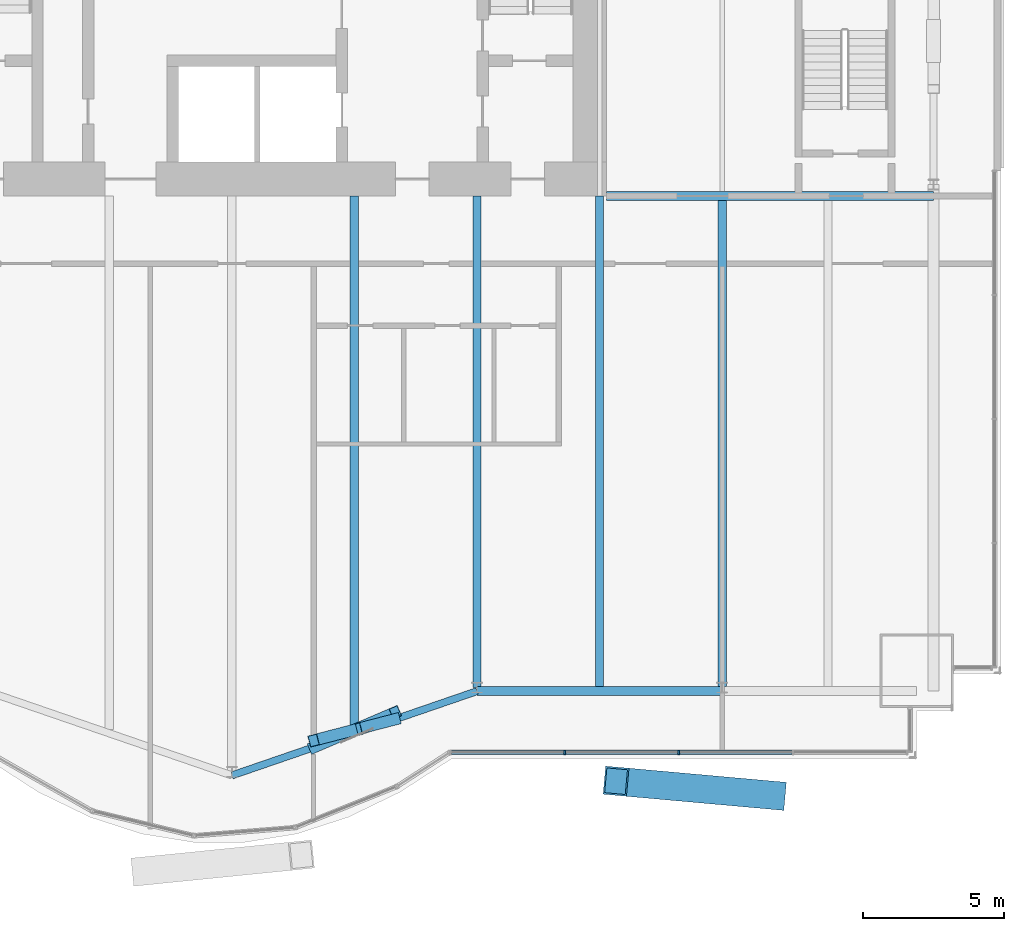
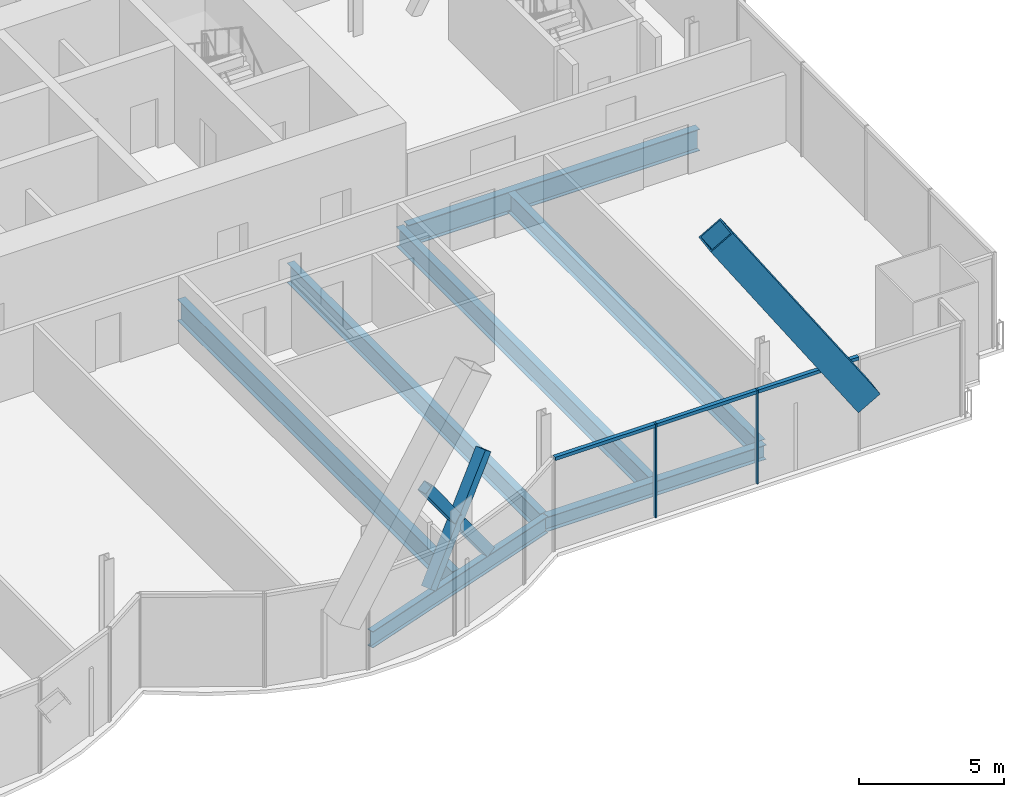
# One storey, part 9 of 21: 9 members, 7 beams, 1 element without a shape of its own.
"""IFC4 building model written with IfcOpenShell, lengths in metres."""

from ifc_helpers import new_model, si_unit, direction, frame, origin, origin_2d, place, context, subcontext, project, spatial, rectangle, hollow_rectangle, i_section, extrude, material, material_profile, profile_set, type_object, element, aggregate, save


model = new_model("IFC4")

# Units and contexts
model_context = context("Model", 3, precision=1e-05, world=origin(), true_north=direction((0.0, 1.0)))
body_context = subcontext(model_context, "Body", "Model", "MODEL_VIEW")
ifc_project = project(units=[si_unit("LENGTHUNIT", "METRE"), si_unit("AREAUNIT", "SQUARE_METRE"), si_unit("VOLUMEUNIT", "CUBIC_METRE"), si_unit("PLANEANGLEUNIT", "RADIAN"), si_unit("MASSUNIT", "GRAM", prefix="KILO")], contexts=[model_context])

# Site, building, storey
site_placement = place(None, origin())
site = spatial("IfcSite", under=ifc_project, at=site_placement, CompositionType="ELEMENT")
building_placement = place(site_placement, origin())
building = spatial("IfcBuilding", under=site, at=building_placement, Name="Bicima Exchange Tower", CompositionType="ELEMENT")
storey_placement = place(building_placement, frame((0.0, 0.0, 195.0)))
storey = spatial("IfcBuildingStorey", under=building, at=storey_placement, Name="L43", CompositionType="ELEMENT", Elevation=195.0)

# Beam
ifc_material_1 = material(Name="Steel ASTM A992 Gr 50", Category="steel")
ifc_material_profile_1 = material_profile(ifc_material_1, i_section(OverallWidth=0.3046875, OverallDepth=0.911865234375, WebThickness=0.015869140625, FlangeThickness=0.02392578125, at=origin_2d()))
ifc_profile_set_1 = profile_set([ifc_material_profile_1], Name="Steel ASTM A992 Gr 50")
beam_type_1 = type_object("IfcBeamType", Name="Core-line girder W36x150", PredefinedType="BEAM", material=ifc_profile_set_1)
beam_1_placement = place(storey_placement, frame((22.0, -13.0, -0.60595703125), z_axis=(1.0, 0.0, 0.0), x_axis=(0.0, 1.0, 0.0)))
element("IfcBeam", 1, at=beam_1_placement, inside=storey, type_object=beam_type_1, Name="Core-line girder", PredefinedType="BEAM", context=body_context, shape_type="SweptSolid", body=[
    extrude(i_section(OverallWidth=0.3046875, OverallDepth=0.911865234375, WebThickness=0.015869140625, FlangeThickness=0.02392578125, at=origin_2d()), origin(), (0.0, 0.0, 1.0), 11.60009765625),
])

# Member
ifc_material_2 = material(Name="Steel ASTM A572 Gr 50", Category="steel")
ifc_material_profile_2 = material_profile(ifc_material_2, hollow_rectangle(XDim=1.0, YDim=1.0, WallThickness=0.06005859375, at=origin_2d()))
ifc_profile_set_2 = profile_set([ifc_material_profile_2], Name="Steel ASTM A572 Gr 50")
member_type_1 = type_object("IfcMemberType", Name="Exo mega brace BOX 1000x1000x60", PredefinedType="BRACE", material=ifc_profile_set_2)
member_1_placement = place(storey_placement, frame((27.916748046875, -34.268798828125, 3.416748046875), z_axis=(-0.552134579453, 0.049540015612, 0.832281919199), x_axis=(-0.089365532808, -0.995998896358, 0.0)))
element("IfcMember", 2, at=member_1_placement, inside=storey, type_object=member_type_1, Name="Exo mega brace front", PredefinedType="BRACE", context=body_context, shape_type="SweptSolid", body=[
    extrude(hollow_rectangle(XDim=1.0, YDim=1.0, WallThickness=0.06005859375, at=origin_2d()), origin(), (0.0, 0.0, 1.0), 10.112548828125),
])

# Beams
ifc_material_profile_3 = material_profile(ifc_material_1, i_section(OverallWidth=0.2919921875, OverallDepth=0.835693359375, WebThickness=0.013916015625, FlangeThickness=0.018798828125, at=origin_2d()))
ifc_profile_set_3 = profile_set([ifc_material_profile_3], Name="Steel ASTM A992 Gr 50")
beam_type_2 = type_object("IfcBeamType", Name="Floor beam W33x118", PredefinedType="JOIST", material=ifc_profile_set_3)
beam_2_placement = place(storey_placement, frame((17.39990234375, -13.0, -0.56787109375), z_axis=(0.0, -1.0, 0.0), x_axis=(1.0, 0.0, 0.0)))
element("IfcBeam", 3, at=beam_2_placement, inside=storey, type_object=beam_type_2, Name="Floor beam", PredefinedType="JOIST", context=body_context, shape_type="SweptSolid", body=[
    extrude(i_section(OverallWidth=0.2919921875, OverallDepth=0.835693359375, WebThickness=0.013916015625, FlangeThickness=0.018798828125, at=origin_2d()), origin(), (0.0, 0.0, 1.0), 17.436279296875),
])
beam_3_placement = place(storey_placement, frame((21.75, -13.0, -0.56787109375), z_axis=(0.0, -1.0, 0.0), x_axis=(1.0, 0.0, 0.0)))
element("IfcBeam", 4, at=beam_3_placement, inside=storey, type_object=beam_type_2, Name="Floor beam", PredefinedType="JOIST", context=body_context, shape_type="SweptSolid", body=[
    extrude(i_section(OverallWidth=0.2919921875, OverallDepth=0.835693359375, WebThickness=0.013916015625, FlangeThickness=0.018798828125, at=origin_2d()), origin(), (0.0, 0.0, 1.0), 17.409423828125),
])
beam_4_placement = place(storey_placement, frame((26.10009765625, -13.15234375, -0.56787109375), z_axis=(0.0, -1.0, 0.0), x_axis=(1.0, 0.0, 0.0)))
element("IfcBeam", 5, at=beam_4_placement, inside=storey, type_object=beam_type_2, Name="Floor beam", PredefinedType="JOIST", context=body_context, shape_type="SweptSolid", body=[
    extrude(i_section(OverallWidth=0.2919921875, OverallDepth=0.835693359375, WebThickness=0.013916015625, FlangeThickness=0.018798828125, at=origin_2d()), origin(), (0.0, 0.0, 1.0), 17.257080078125),
])
ifc_material_profile_4 = material_profile(ifc_material_1, i_section(OverallWidth=0.3046875, OverallDepth=0.904296875, WebThickness=0.01513671875, FlangeThickness=0.02001953125, at=origin_2d()))
ifc_profile_set_4 = profile_set([ifc_material_profile_4], Name="Steel ASTM A992 Gr 50")
beam_type_3 = type_object("IfcBeamType", Name="Floor beam W36x135", PredefinedType="JOIST", material=ifc_profile_set_4)
beam_5_placement = place(storey_placement, frame((13.050048828125, -13.0, -0.60205078125), z_axis=(0.0, -1.0, 0.0), x_axis=(1.0, 0.0, 0.0)))
element("IfcBeam", 6, at=beam_5_placement, inside=storey, type_object=beam_type_3, Name="Floor beam", PredefinedType="JOIST", context=body_context, shape_type="SweptSolid", body=[
    extrude(i_section(OverallWidth=0.3046875, OverallDepth=0.904296875, WebThickness=0.01513671875, FlangeThickness=0.02001953125, at=origin_2d()), origin(), (0.0, 0.0, 1.0), 18.931884765625),
])
ifc_material_profile_5 = material_profile(ifc_material_1, i_section(OverallWidth=0.3251953125, OverallDepth=0.612060546875, WebThickness=0.0126953125, FlangeThickness=0.01904296875, at=origin_2d()))
ifc_profile_set_5 = profile_set([ifc_material_profile_5], Name="Steel ASTM A992 Gr 50")
beam_type_4 = type_object("IfcBeamType", Name="Front girder W24x104", PredefinedType="BEAM", material=ifc_profile_set_5)
beam_6_placement = place(storey_placement, frame((17.39990234375, -30.572021484375, -0.4560546875), z_axis=(1.0, 0.0, 0.0), x_axis=(0.0, 1.0, 0.0)))
element("IfcBeam", 7, at=beam_6_placement, inside=storey, type_object=beam_type_4, Name="Front girder", PredefinedType="BEAM", context=body_context, shape_type="SweptSolid", body=[
    extrude(i_section(OverallWidth=0.3251953125, OverallDepth=0.612060546875, WebThickness=0.0126953125, FlangeThickness=0.01904296875, at=origin_2d()), origin(), (0.0, 0.0, 1.0), 8.7001953125),
])
ifc_material_profile_6 = material_profile(ifc_material_1, i_section(OverallWidth=0.256591796875, OverallDepth=0.693359375, WebThickness=0.014404296875, FlangeThickness=0.023681640625, at=origin_2d()))
ifc_profile_set_6 = profile_set([ifc_material_profile_6], Name="Steel ASTM A992 Gr 50")
beam_type_5 = type_object("IfcBeamType", Name="Front girder W27x114", PredefinedType="BEAM", material=ifc_profile_set_6)
beam_7_placement = place(storey_placement, frame((8.699951171875, -33.56298828125, -0.49658203125), z_axis=(0.945674616091, 0.32511462668, 0.0), x_axis=(-0.32511462668, 0.945674616091, 0.0)))
element("IfcBeam", 8, at=beam_7_placement, inside=storey, type_object=beam_type_5, Name="Front girder", PredefinedType="BEAM", context=body_context, shape_type="SweptSolid", body=[
    extrude(i_section(OverallWidth=0.256591796875, OverallDepth=0.693359375, WebThickness=0.014404296875, FlangeThickness=0.023681640625, at=origin_2d()), origin(), (0.0, 0.0, 1.0), 9.19970703125),
])

# Curtain wall, members
ifc_material_3 = material(Name="Anodised bronze aluminium", Category="aluminium")
curtain_wall_type = type_object("IfcCurtainWallType", Name="Front glass wall", PredefinedType="NOTDEFINED", material=ifc_material_3)
curtain_wall_placement = place(storey_placement, origin())
curtain_wall = element("IfcCurtainWall", 9, at=curtain_wall_placement, inside=storey, type_object=curtain_wall_type, Name="Front glass wall L43 run 16", PredefinedType="NOTDEFINED")
ifc_material_profile_7 = material_profile(ifc_material_3, rectangle(XDim=0.159912109375, YDim=0.06005859375, at=origin_2d()))
ifc_profile_set_7 = profile_set([ifc_material_profile_7], Name="Anodised bronze aluminium")
member_type_2 = type_object("IfcMemberType", Name="Front glass wall mullion 60 x 160", PredefinedType="MULLION", material=ifc_profile_set_7)
member_2_placement = place(storey_placement, frame((20.51171875, -32.741943359375, 0.0), z_axis=(0.0, 0.0, 1.0), x_axis=(0.0, 1.0, 0.0)))
member_2 = element("IfcMember", 10, at=member_2_placement, type_object=member_type_2, Name="Front glass wall mullion 2", PredefinedType="MULLION", context=body_context, shape_type="SweptSolid", body=[
    extrude(rectangle(XDim=0.159912109375, YDim=0.06005859375, at=origin_2d()), origin(), (0.0, 0.0, 1.0), 3.949951171875),
])
member_3_placement = place(storey_placement, frame((24.56103515625, -32.741943359375, 0.0), z_axis=(0.0, 0.0, 1.0), x_axis=(0.0, 1.0, 0.0)))
member_3 = element("IfcMember", 11, at=member_3_placement, type_object=member_type_2, Name="Front glass wall mullion 3", PredefinedType="MULLION", context=body_context, shape_type="SweptSolid", body=[
    extrude(rectangle(XDim=0.159912109375, YDim=0.06005859375, at=origin_2d()), origin(), (0.0, 0.0, 1.0), 3.949951171875),
])
ifc_material_profile_8 = material_profile(ifc_material_3, rectangle(XDim=0.159912109375, YDim=0.139892578125, at=origin_2d()))
ifc_profile_set_8 = profile_set([ifc_material_profile_8], Name="Anodised bronze aluminium")
member_type_3 = type_object("IfcMemberType", Name="Front glass wall transom 140 x 160", PredefinedType="USERDEFINED", material=ifc_profile_set_8)
member_4_placement = place(storey_placement, frame((16.4921875, -32.741943359375, 3.8798828125), z_axis=(1.0, 0.0, 0.0), x_axis=(0.0, 1.0, 0.0)))
member_4 = element("IfcMember", 12, at=member_4_placement, type_object=member_type_3, Name="Front glass wall transom 1.1", ObjectType="TRANSOM", PredefinedType="USERDEFINED", context=body_context, shape_type="SweptSolid", body=[
    extrude(rectangle(XDim=0.159912109375, YDim=0.139892578125, at=origin_2d()), origin(), (0.0, 0.0, 1.0), 3.989501953125),
])
member_5_placement = place(storey_placement, frame((20.54150390625, -32.741943359375, 3.8798828125), z_axis=(1.0, 0.0, 0.0), x_axis=(0.0, 1.0, 0.0)))
member_5 = element("IfcMember", 13, at=member_5_placement, type_object=member_type_3, Name="Front glass wall transom 2.1", ObjectType="TRANSOM", PredefinedType="USERDEFINED", context=body_context, shape_type="SweptSolid", body=[
    extrude(rectangle(XDim=0.159912109375, YDim=0.139892578125, at=origin_2d()), origin(), (0.0, 0.0, 1.0), 3.989501953125),
])
member_6_placement = place(storey_placement, frame((24.591064453125, -32.741943359375, 3.8798828125), z_axis=(1.0, 0.0, 0.0), x_axis=(0.0, 1.0, 0.0)))
member_6 = element("IfcMember", 14, at=member_6_placement, type_object=member_type_3, Name="Front glass wall transom 3.1", ObjectType="TRANSOM", PredefinedType="USERDEFINED", context=body_context, shape_type="SweptSolid", body=[
    extrude(rectangle(XDim=0.159912109375, YDim=0.139892578125, at=origin_2d()), origin(), (0.0, 0.0, 1.0), 3.989501953125),
])
aggregate(curtain_wall, [member_2, member_3, member_4, member_5, member_6])

# Members
ifc_material_profile_9 = material_profile(ifc_material_2, hollow_rectangle(XDim=0.406494140625, YDim=0.406494140625, WallThickness=0.0146484375, at=origin_2d()))
ifc_profile_set_9 = profile_set([ifc_material_profile_9], Name="Steel ASTM A572 Gr 50")
member_type_4 = type_object("IfcMemberType", Name="Mega brace HSS16x16x5/8", PredefinedType="BRACE", material=ifc_profile_set_9)
member_7_placement = place(storey_placement, frame((11.60009765625, -32.56591796875, 0.0), z_axis=(0.560581069566, 0.23989169697, 0.79259121757), x_axis=(-0.393424148395, 0.919357079409, 0.0)))
element("IfcMember", 15, at=member_7_placement, inside=storey, type_object=member_type_4, Name="Mega brace front", PredefinedType="BRACE", context=body_context, shape_type="SweptSolid", body=[
    extrude(hollow_rectangle(XDim=0.406494140625, YDim=0.406494140625, WallThickness=0.0146484375, at=origin_2d()), origin(), (0.0, 0.0, 1.0), 5.173095703125),
])
for number, where, z_axis, x_axis, name in (
    (16, (14.5, -31.569091796875, 0.0), (-0.57110722841, -0.148264314279, 0.807374898526), (0.251278927577, -0.967914717605, 0.0), "Mega brace front"),
    (17, (12.971923828125, -31.9658203125, 2.16015625), (-0.570991892865, -0.148260753104, 0.807457124169), (0.251320822742, -0.967903840294, 0.0), "Mega brace front"),
):
    element("IfcMember", number, at=place(storey_placement, frame(where, z_axis=z_axis, x_axis=x_axis)), inside=storey, type_object=member_type_4, Name=name, PredefinedType="BRACE", context=body_context, shape_type="SweptSolid", body=[
        extrude(hollow_rectangle(XDim=0.406494140625, YDim=0.406494140625, WallThickness=0.0146484375, at=origin_2d()), origin(), (0.0, 0.0, 1.0), 2.402587890625),
    ])

save(model, "model.ifc")
